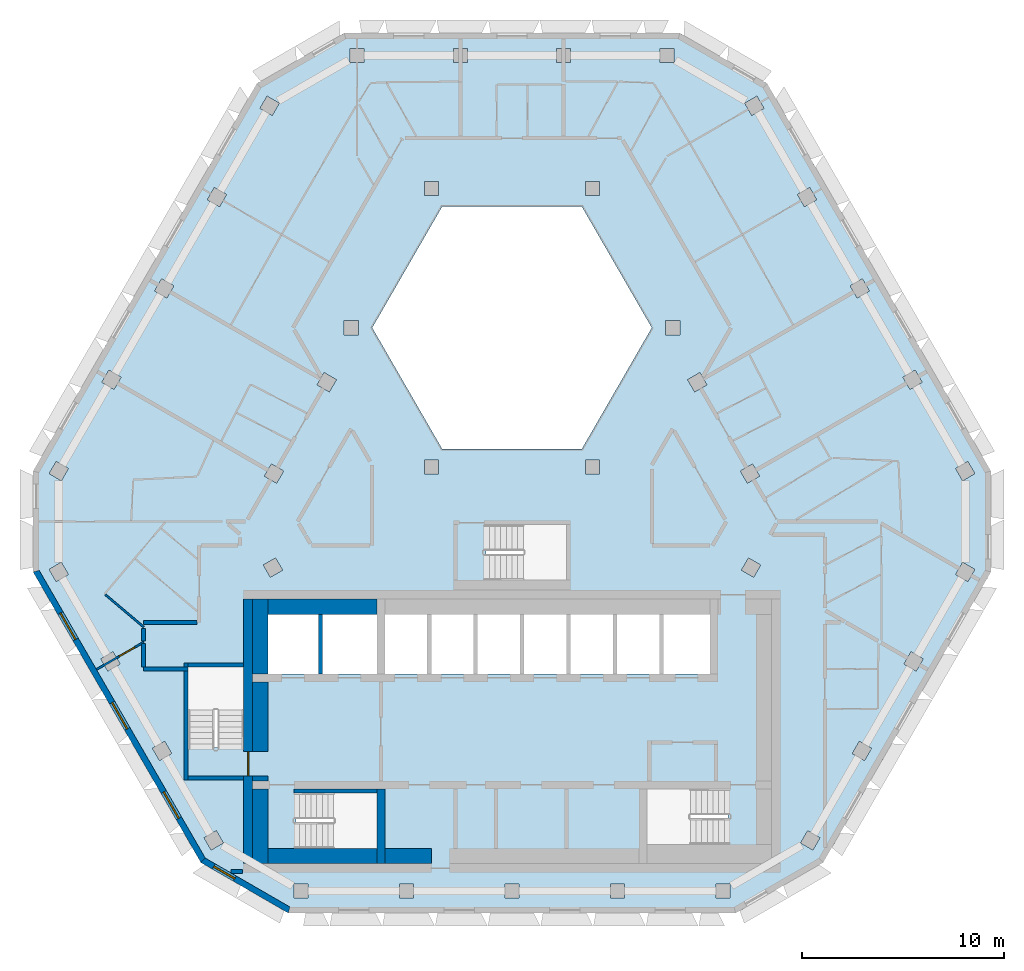
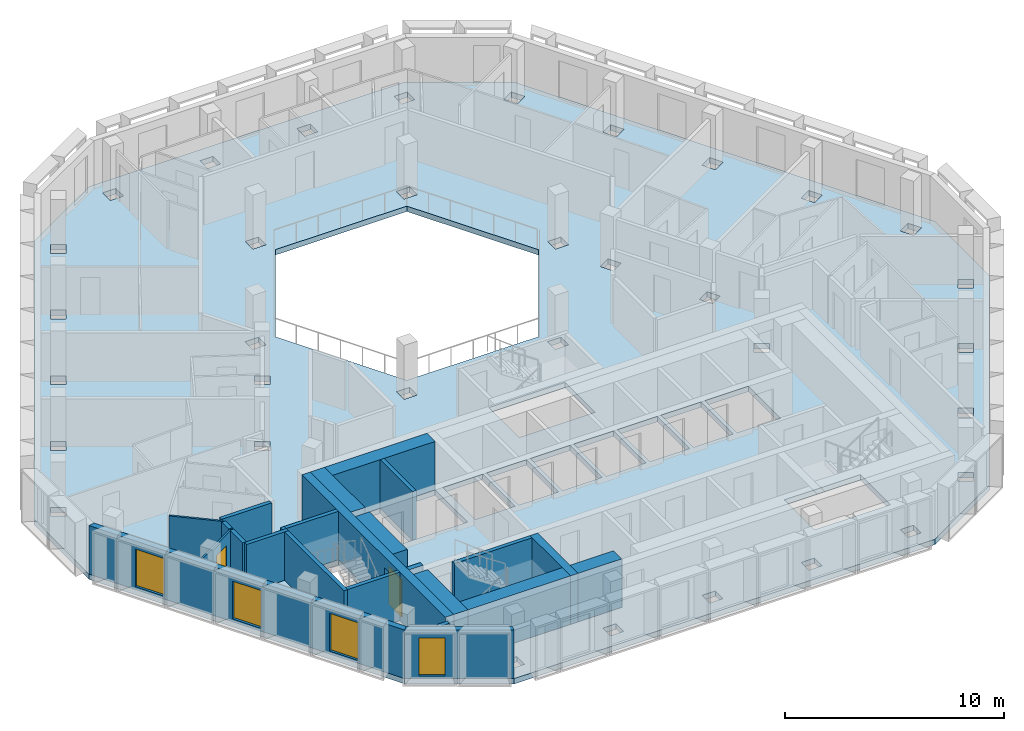
# One storey, part 2 of 15: 23 walls, 4 windows, 2 doors, 1 slab, 6 openings.
"""IFC4 building model written with IfcOpenShell, lengths in metres."""

from ifc_helpers import new_model, si_unit, direction, frame, frame_2d, origin, place, context, subcontext, project, spatial, polyline, rectangle, outline, extrude, material, layer, layer_set, type_object, element, fill, save


model = new_model("IFC4")

# Units and contexts
model_context = context("Model", 3, precision=1e-05, world=origin(), true_north=direction((0.0, 1.0)))
body_context = subcontext(model_context, "Body", "Model", "MODEL_VIEW")
ifc_project = project(units=[si_unit("LENGTHUNIT", "METRE"), si_unit("AREAUNIT", "SQUARE_METRE"), si_unit("VOLUMEUNIT", "CUBIC_METRE"), si_unit("PLANEANGLEUNIT", "RADIAN"), si_unit("MASSUNIT", "GRAM", prefix="KILO")], contexts=[model_context])

# Site, building, storey
site_placement = place(None, origin())
site = spatial("IfcSite", under=ifc_project, at=site_placement, CompositionType="ELEMENT")
building_placement = place(site_placement, origin())
building = spatial("IfcBuilding", under=site, at=building_placement, Name="Beryl Residences", CompositionType="ELEMENT")
storey_placement = place(building_placement, frame((0.0, 0.0, 217.800048828125)))
storey = spatial("IfcBuildingStorey", under=building, at=storey_placement, Name="L67", CompositionType="ELEMENT", Elevation=217.800048828125)

# Slab
ifc_material_1 = material(Name="Concrete C40/50", Category="concrete")
ifc_layer_1 = layer(ifc_material_1, 0.300048828125)
ifc_layer_set_1 = layer_set([ifc_layer_1], Name="SL7 PT floor slab 300 mm C40/50")
slab_type = type_object("IfcSlabType", Name="SL7 PT floor slab 300 mm C40/50", PredefinedType="FLOOR", material=ifc_layer_set_1)
slab_placement = place(storey_placement, frame((0.0, 0.0, -0.300048828125)))
element("IfcSlab", 1, at=slab_placement, inside=storey, type_object=slab_type, Name="L67 slab 1", PredefinedType="FLOOR", context=body_context, shape_type="SweptSolid", body=[
    extrude(outline(polyline([(23.72900390625, -4.10009765625), (15.4150390625, -18.5), (11.0849609375, -21.0), (-11.0849609375, -21.0), (-15.4150390625, -18.5), (-23.72900390625, -4.10009765625), (-23.72900390625, 0.89990234375), (-12.64404296875, 20.10009765625), (-8.31396484375, 22.60009765625), (8.31396484375, 22.60009765625), (12.64404296875, 20.10009765625), (23.72900390625, 0.89990234375), (23.72900390625, -4.10009765625)]), holes=[polyline([(21.97998046875, 1.028076171875), (22.330078125, 0.422119140625), (22.93603515625, 0.77197265625), (22.5859375, 1.3779296875), (21.97998046875, 1.028076171875)]), polyline([(21.97998046875, -4.22900390625), (22.5859375, -4.5791015625), (22.93603515625, -3.972900390625), (22.330078125, -3.623046875), (21.97998046875, -4.22900390625)]), polyline([(19.77099609375, -8.055908203125), (19.4208984375, -8.662109375), (20.027099609375, -9.011962890625), (20.376953125, -8.406005859375), (19.77099609375, -8.055908203125)]), polyline([(19.367919921875, 5.552978515625), (19.718017578125, 4.947021484375), (20.323974609375, 5.297119140625), (19.97412109375, 5.903076171875), (19.367919921875, 5.552978515625)]), polyline([(17.2109375, -12.489013671875), (16.861083984375, -13.094970703125), (17.467041015625, -13.445068359375), (17.81689453125, -12.839111328125), (17.2109375, -12.489013671875)]), polyline([(17.361083984375, 10.427978515625), (16.7548828125, 10.077880859375), (17.10498046875, 9.471923828125), (17.7109375, 9.822021484375), (17.361083984375, 10.427978515625)]), polyline([(15.258056640625, -17.27197265625), (14.652099609375, -16.922119140625), (14.302001953125, -17.528076171875), (14.907958984375, -17.8779296875), (15.258056640625, -17.27197265625)]), polyline([(14.14306640625, 14.60302734375), (14.492919921875, 13.9970703125), (15.09912109375, 14.346923828125), (14.7490234375, 14.952880859375), (14.14306640625, 14.60302734375)]), polyline([(11.531005859375, 19.1279296875), (11.881103515625, 18.52197265625), (12.487060546875, 18.8720703125), (12.136962890625, 19.47802734375), (11.531005859375, 19.1279296875)]), polyline([(11.717041015625, -3.406005859375), (11.366943359375, -4.011962890625), (11.972900390625, -4.362060546875), (12.322998046875, -3.756103515625), (11.717041015625, -3.406005859375)]), polyline([(11.919921875, 1.2529296875), (11.31396484375, 0.903076171875), (11.6640625, 0.297119140625), (12.27001953125, 0.64697265625), (11.919921875, 1.2529296875)]), polyline([(10.800048828125, -19.550048828125), (10.10009765625, -19.550048828125), (10.10009765625, -20.25), (10.800048828125, -20.25), (10.800048828125, -19.550048828125)]), polyline([(6.699951171875, -14.85009765625), (6.699951171875, -17.60009765625), (10.699951171875, -17.60009765625), (10.699951171875, -14.85009765625), (6.699951171875, -14.85009765625)]), polyline([(7.5, -9.14990234375), (9.800048828125, -9.14990234375), (9.800048828125, -6.199951171875), (7.5, -6.199951171875), (7.5, -9.14990234375)]), polyline([(8.700927734375, 5.427978515625), (9.051025390625, 4.822021484375), (9.656982421875, 5.172119140625), (9.306884765625, 5.778076171875), (8.700927734375, 5.427978515625)]), polyline([(8.31689453125, 7.64990234375), (8.31689453125, 8.35009765625), (7.616943359375, 8.35009765625), (7.616943359375, 7.64990234375), (8.31689453125, 7.64990234375)]), polyline([(7.3291015625, 21.85009765625), (7.3291015625, 21.14990234375), (8.029052734375, 21.14990234375), (8.029052734375, 21.85009765625), (7.3291015625, 21.85009765625)]), polyline([(5.199951171875, -9.14990234375), (7.300048828125, -9.14990234375), (7.300048828125, -6.199951171875), (5.199951171875, -6.199951171875), (5.199951171875, -9.14990234375)]), polyline([(3.464111328125, 14.0), (-3.464111328125, 14.0), (-6.92822265625, 8.0), (-3.464111328125, 2.0), (3.464111328125, 2.0), (6.92822265625, 8.0), (3.464111328125, 14.0)]), polyline([(4.875, -19.550048828125), (4.875, -20.25), (5.574951171875, -20.25), (5.574951171875, -19.550048828125), (4.875, -19.550048828125)]), polyline([(2.89990234375, -9.14990234375), (5.0, -9.14990234375), (5.0, -6.199951171875), (2.89990234375, -6.199951171875), (2.89990234375, -9.14990234375)]), polyline([(4.333984375, 15.25), (3.634033203125, 15.25), (3.634033203125, 14.550048828125), (4.333984375, 14.550048828125), (4.333984375, 15.25)]), polyline([(4.333984375, 1.449951171875), (3.634033203125, 1.449951171875), (3.634033203125, 0.75), (4.333984375, 0.75), (4.333984375, 1.449951171875)]), polyline([(2.2099609375, 21.85009765625), (2.2099609375, 21.14990234375), (2.909912109375, 21.14990234375), (2.909912109375, 21.85009765625), (2.2099609375, 21.85009765625)]), polyline([(2.699951171875, -9.14990234375), (2.699951171875, -6.199951171875), (0.60009765625, -6.199951171875), (0.60009765625, -9.14990234375), (2.699951171875, -9.14990234375)]), polyline([(2.699951171875, -4.5), (2.699951171875, -1.75), (-1.300048828125, -1.75), (-1.300048828125, -4.5), (2.699951171875, -4.5)]), polyline([(0.39990234375, -6.199951171875), (-1.699951171875, -6.199951171875), (-1.699951171875, -9.14990234375), (0.39990234375, -9.14990234375), (0.39990234375, -6.199951171875)]), polyline([(0.35009765625, -19.550048828125), (-0.35009765625, -19.550048828125), (-0.35009765625, -20.25), (0.35009765625, -20.25), (0.35009765625, -19.550048828125)]), polyline([(-4.0, -9.14990234375), (-1.89990234375, -9.14990234375), (-1.89990234375, -6.199951171875), (-4.0, -6.199951171875), (-4.0, -9.14990234375)]), polyline([(-2.908935546875, 21.14990234375), (-2.208984375, 21.14990234375), (-2.208984375, 21.85009765625), (-2.908935546875, 21.85009765625), (-2.908935546875, 21.14990234375)]), polyline([(-3.634033203125, 15.25), (-4.333984375, 15.25), (-4.333984375, 14.550048828125), (-3.634033203125, 14.550048828125), (-3.634033203125, 15.25)]), polyline([(-4.333984375, 1.449951171875), (-4.333984375, 0.75), (-3.634033203125, 0.75), (-3.634033203125, 1.449951171875), (-4.333984375, 1.449951171875)]), polyline([(-6.300048828125, -9.14990234375), (-4.199951171875, -9.14990234375), (-4.199951171875, -6.199951171875), (-6.300048828125, -6.199951171875), (-6.300048828125, -9.14990234375)]), polyline([(-4.875, -19.550048828125), (-5.574951171875, -19.550048828125), (-5.574951171875, -20.25), (-4.875, -20.25), (-4.875, -19.550048828125)]), polyline([(-9.39990234375, -6.199951171875), (-9.39990234375, -9.14990234375), (-6.699951171875, -9.14990234375), (-6.699951171875, -6.199951171875), (-9.39990234375, -6.199951171875)]), polyline([(-10.699951171875, -15.050048828125), (-10.699951171875, -17.800048828125), (-6.699951171875, -17.800048828125), (-6.699951171875, -15.050048828125), (-10.699951171875, -15.050048828125)]), polyline([(-8.028076171875, 21.14990234375), (-7.327880859375, 21.14990234375), (-7.327880859375, 21.85009765625), (-8.028076171875, 21.85009765625), (-8.028076171875, 21.14990234375)]), polyline([(-7.616943359375, 7.64990234375), (-7.616943359375, 8.35009765625), (-8.31689453125, 8.35009765625), (-8.31689453125, 7.64990234375), (-7.616943359375, 7.64990234375)]), polyline([(-9.051025390625, 4.822021484375), (-8.700927734375, 5.427978515625), (-9.306884765625, 5.778076171875), (-9.656982421875, 5.172119140625), (-9.051025390625, 4.822021484375)]), polyline([(-12.10009765625, -9.14990234375), (-9.60009765625, -9.14990234375), (-9.60009765625, -6.199951171875), (-12.10009765625, -6.199951171875), (-12.10009765625, -9.14990234375)]), polyline([(-10.800048828125, -19.550048828125), (-10.800048828125, -20.25), (-10.10009765625, -20.25), (-10.10009765625, -19.550048828125), (-10.800048828125, -19.550048828125)]), polyline([(-12.27001953125, 0.64697265625), (-11.6640625, 0.297119140625), (-11.31396484375, 0.903076171875), (-11.919921875, 1.2529296875), (-12.27001953125, 0.64697265625)]), polyline([(-11.972900390625, -4.361083984375), (-11.366943359375, -4.010986328125), (-11.717041015625, -3.405029296875), (-12.322998046875, -3.7548828125), (-11.972900390625, -4.361083984375)]), polyline([(-12.487060546875, 18.8720703125), (-11.881103515625, 18.52197265625), (-11.531005859375, 19.1279296875), (-12.136962890625, 19.47802734375), (-12.487060546875, 18.8720703125)]), polyline([(-13.300048828125, -8.800048828125), (-16.050048828125, -8.800048828125), (-16.050048828125, -12.800048828125), (-13.300048828125, -12.800048828125), (-13.300048828125, -8.800048828125)]), polyline([(-14.14306640625, 14.60302734375), (-14.7490234375, 14.952880859375), (-15.09912109375, 14.346923828125), (-14.492919921875, 13.9970703125), (-14.14306640625, 14.60302734375)]), polyline([(-14.302978515625, -17.527099609375), (-14.653076171875, -16.9208984375), (-15.259033203125, -17.27099609375), (-14.908935546875, -17.876953125), (-14.302978515625, -17.527099609375)]), polyline([(-17.10498046875, 9.471923828125), (-16.7548828125, 10.077880859375), (-17.361083984375, 10.427978515625), (-17.7109375, 9.822021484375), (-17.10498046875, 9.471923828125)]), polyline([(-17.2119140625, -12.488037109375), (-17.818115234375, -12.837890625), (-17.468017578125, -13.444091796875), (-16.862060546875, -13.093994140625), (-17.2119140625, -12.488037109375)]), polyline([(-19.718017578125, 4.947021484375), (-19.367919921875, 5.552978515625), (-19.97412109375, 5.903076171875), (-20.323974609375, 5.297119140625), (-19.718017578125, 4.947021484375)]), polyline([(-19.4208984375, -8.660888671875), (-19.77099609375, -8.054931640625), (-20.376953125, -8.405029296875), (-20.027099609375, -9.010986328125), (-19.4208984375, -8.660888671875)]), polyline([(-22.330078125, 0.422119140625), (-21.97998046875, 1.028076171875), (-22.5859375, 1.3779296875), (-22.93603515625, 0.77197265625), (-22.330078125, 0.422119140625)]), polyline([(-21.98095703125, -4.22802734375), (-22.3310546875, -3.6220703125), (-22.93701171875, -3.971923828125), (-22.5869140625, -4.577880859375), (-21.98095703125, -4.22802734375)])]), origin(), (0.0, 0.0, 1.0), 0.300048828125),
])

# Wall, openings, windows
ifc_material_2 = material(Name="Composite metal panel with mineral wool insulation")
ifc_layer_2 = layer(ifc_material_2, 0.300048828125)
ifc_layer_set_2 = layer_set([ifc_layer_2], Name="ES1 pale metal composite panel wall 300 mm")
wall_type_1 = type_object("IfcWallType", Name="ES1 pale metal composite panel wall 300 mm", PredefinedType="SOLIDWALL", material=ifc_layer_set_2)
wall_1_placement = place(storey_placement, frame((-23.59912109375, -4.02490234375, 0.0), z_axis=(0.0, 0.0, 1.0), x_axis=(0.500012653391, -0.866018098222, 0.0)))
wall_1 = element("IfcWall", 2, at=wall_1_placement, inside=storey, type_object=wall_type_1, Name="ES1 external wall L67 SW", PredefinedType="SOLIDWALL", context=body_context, shape_type="SweptSolid", body=[
    extrude(outline(polyline([(0.0, -0.14990234375), (16.6279296875, -0.14990234375), (16.547607421875, 0.14990234375), (0.080322265625, 0.14990234375), (0.0, -0.14990234375)])), origin(), (0.0, 0.0, 1.0), 2.699951171875),
])
opening_1_placement = place(wall_1_placement, frame((2.444091796875, 0.0, 0.14990234375)))
opening_1 = element("IfcOpeningElement", 3, at=opening_1_placement, cuts=wall_1, Name="Opening W1", PredefinedType="OPENING", context=body_context, shape_type="SweptSolid", body=[
    extrude(rectangle(XDim=1.5, YDim=2.10009765625, at=frame_2d((0.75, 1.050048828125))), frame((0.0, 0.159912109375, 0.0), z_axis=(0.0, -1.0, 0.0), x_axis=(1.0, 0.0, 0.0)), (0.0, 0.0, 1.0), 0.320068359375),
])
opening_2_placement = place(wall_1_placement, frame((7.56396484375, 0.0, 0.14990234375)))
opening_2 = element("IfcOpeningElement", 4, at=opening_2_placement, cuts=wall_1, Name="Opening W1", PredefinedType="OPENING", context=body_context, shape_type="SweptSolid", body=[
    extrude(rectangle(XDim=1.5, YDim=2.10009765625, at=frame_2d((0.75, 1.050048828125))), frame((0.0, 0.159912109375, 0.0), z_axis=(0.0, -1.0, 0.0), x_axis=(1.0, 0.0, 0.0)), (0.0, 0.0, 1.0), 0.320068359375),
])
opening_3_placement = place(wall_1_placement, frame((12.681884765625, 0.0, 0.14990234375)))
opening_3 = element("IfcOpeningElement", 5, at=opening_3_placement, cuts=wall_1, Name="Opening W1", PredefinedType="OPENING", context=body_context, shape_type="SweptSolid", body=[
    extrude(rectangle(XDim=1.5, YDim=2.10009765625, at=frame_2d((0.75, 1.050048828125))), frame((0.0, 0.159912109375, 0.0), z_axis=(0.0, -1.0, 0.0), x_axis=(1.0, 0.0, 0.0)), (0.0, 0.0, 1.0), 0.320068359375),
])
ifc_material_3 = material(Name="Aluminium and clear glass", Category="aluminium")
window_type_1 = type_object("IfcWindowType", Name="W1 cell window 1500 x 2100 mm", PartitioningType="SINGLE_PANEL", PredefinedType="WINDOW", material=ifc_material_3)
window_1_placement = place(opening_1_placement, origin())
window_1 = element("IfcWindow", 6, at=window_1_placement, inside=storey, type_object=window_type_1, Name="W1 window L67 SW 2", OverallHeight=2.10009765625, OverallWidth=1.5, PartitioningType="SINGLE_PANEL", PredefinedType="WINDOW", context=body_context, shape_type="SweptSolid", body=[
    extrude(rectangle(XDim=1.5, YDim=2.10009765625, at=frame_2d((0.75, 1.050048828125))), frame((0.0, 0.030029296875, 0.0), z_axis=(0.0, -1.0, 0.0), x_axis=(1.0, 0.0, 0.0)), (0.0, 0.0, 1.0), 0.06005859375),
])
fill(opening_1, window_1)
window_2_placement = place(opening_2_placement, origin())
window_2 = element("IfcWindow", 7, at=window_2_placement, inside=storey, type_object=window_type_1, Name="W1 window L67 SW 4", OverallHeight=2.10009765625, OverallWidth=1.5, PartitioningType="SINGLE_PANEL", PredefinedType="WINDOW", context=body_context, shape_type="SweptSolid", body=[
    extrude(rectangle(XDim=1.5, YDim=2.10009765625, at=frame_2d((0.75, 1.050048828125))), frame((0.0, 0.030029296875, 0.0), z_axis=(0.0, -1.0, 0.0), x_axis=(1.0, 0.0, 0.0)), (0.0, 0.0, 1.0), 0.06005859375),
])
fill(opening_2, window_2)
window_3_placement = place(opening_3_placement, origin())
window_3 = element("IfcWindow", 8, at=window_3_placement, inside=storey, type_object=window_type_1, Name="W1 window L67 SW 6", OverallHeight=2.10009765625, OverallWidth=1.5, PartitioningType="SINGLE_PANEL", PredefinedType="WINDOW", context=body_context, shape_type="SweptSolid", body=[
    extrude(rectangle(XDim=1.5, YDim=2.10009765625, at=frame_2d((0.75, 1.050048828125))), frame((0.0, 0.030029296875, 0.0), z_axis=(0.0, -1.0, 0.0), x_axis=(1.0, 0.0, 0.0)), (0.0, 0.0, 1.0), 0.06005859375),
])
fill(opening_3, window_3)

# Wall, opening, window
wall_2_placement = place(storey_placement, frame((-15.340087890625, -18.3701171875, 0.0), z_axis=(0.0, 0.0, 1.0), x_axis=(0.866022959057, -0.500004234368, 0.0)))
wall_2 = element("IfcWall", 9, at=wall_2_placement, inside=storey, type_object=wall_type_1, Name="ES1 external wall L67 SW-S", PredefinedType="SOLIDWALL", context=body_context, shape_type="SweptSolid", body=[
    extrude(outline(polyline([(0.0, -0.14990234375), (5.0, -0.14990234375), (4.919677734375, 0.14990234375), (0.080322265625, 0.14990234375), (0.0, -0.14990234375)])), origin(), (0.0, 0.0, 1.0), 2.699951171875),
])
opening_4_placement = place(wall_2_placement, frame((0.64990234375, 0.0, 0.14990234375)))
opening_4 = element("IfcOpeningElement", 10, at=opening_4_placement, cuts=wall_2, Name="Opening W2", PredefinedType="OPENING", context=body_context, shape_type="SweptSolid", body=[
    extrude(rectangle(XDim=1.199951171875, YDim=2.10009765625, at=frame_2d((0.60009765625, 1.050048828125))), frame((0.0, 0.159912109375, 0.0), z_axis=(0.0, -1.0, 0.0), x_axis=(1.0, 0.0, 0.0)), (0.0, 0.0, 1.0), 0.320068359375),
])
ifc_material_4 = material(Name="Aluminium and clear glass", Category="aluminium")
window_type_2 = type_object("IfcWindowType", Name="W2 chamfer window 1200 x 2100 mm", PartitioningType="SINGLE_PANEL", PredefinedType="WINDOW", material=ifc_material_4)
window_4_placement = place(opening_4_placement, origin())
window_4 = element("IfcWindow", 11, at=window_4_placement, inside=storey, type_object=window_type_2, Name="W2 window L67 SW-S 1", OverallHeight=2.10009765625, OverallWidth=1.199951171875, PartitioningType="SINGLE_PANEL", PredefinedType="WINDOW", context=body_context, shape_type="SweptSolid", body=[
    extrude(rectangle(XDim=1.199951171875, YDim=2.10009765625, at=frame_2d((0.60009765625, 1.050048828125))), frame((0.0, 0.030029296875, 0.0), z_axis=(0.0, -1.0, 0.0), x_axis=(1.0, 0.0, 0.0)), (0.0, 0.0, 1.0), 0.06005859375),
])
fill(opening_4, window_4)

# Wall
ifc_material_5 = material(Name="Gypsum board partition on steel studs", Category="steel")
ifc_layer_3 = layer(ifc_material_5, 0.10009765625)
ifc_layer_set_3 = layer_set([ifc_layer_3], Name="PT1 partition 100 mm gypsum board on steel studs")
wall_type_2 = type_object("IfcWallType", Name="PT1 partition 100 mm gypsum board on steel studs", PredefinedType="PARTITIONING", material=ifc_layer_set_3)
wall_3_placement = place(storey_placement, frame((-20.14990234375, -5.222900390625, 0.0), z_axis=(0.0, 0.0, 1.0), x_axis=(0.763471868926, -0.645841083672, 0.0)))
element("IfcWall", 12, at=wall_3_placement, inside=storey, type_object=wall_type_2, Name="Wall PT1 L67 021", PredefinedType="PARTITIONING", context=body_context, shape_type="SweptSolid", body=[
    extrude(rectangle(XDim=2.488525390625, YDim=0.10009765625, at=frame_2d((1.244140625, 0.0))), origin(), (0.0, 0.0, 1.0), 2.699951171875),
])

# Wall, opening, door
wall_4_placement = place(storey_placement, frame((-20.592041015625, -8.93310546875, 0.0), z_axis=(0.0, 0.0, 1.0), x_axis=(0.866045775131, 0.499964714133, 0.0)))
wall_4 = element("IfcWall", 13, at=wall_4_placement, inside=storey, type_object=wall_type_2, Name="Wall PT1 L67 050", PredefinedType="PARTITIONING", context=body_context, shape_type="SweptSolid", body=[
    extrude(rectangle(XDim=2.704345703125, YDim=0.10009765625, at=frame_2d((1.35205078125, 0.0))), origin(), (0.0, 0.0, 1.0), 2.699951171875),
])
opening_5_placement = place(wall_4_placement, frame((1.302001953125, 0.0, 0.0)))
opening_5 = element("IfcOpeningElement", 14, at=opening_5_placement, cuts=wall_4, Name="Opening D2128", PredefinedType="OPENING", context=body_context, shape_type="SweptSolid", body=[
    extrude(rectangle(XDim=0.89990234375, YDim=2.10009765625, at=frame_2d((0.449951171875, 1.050048828125))), frame((0.0, 0.06005859375, 0.0), z_axis=(0.0, -1.0, 0.0), x_axis=(1.0, 0.0, 0.0)), (0.0, 0.0, 1.0), 0.1201171875),
])
ifc_material_6 = material(Name="Timber door leaf", Category="wood")
door_type_1 = type_object("IfcDoorType", Name="D2 room door 900 x 2100 mm", OperationType="SINGLE_SWING_LEFT", PredefinedType="DOOR", material=ifc_material_6)
door_1_placement = place(opening_5_placement, origin())
door_1 = element("IfcDoor", 15, at=door_1_placement, inside=storey, type_object=door_type_1, Name="Door D2128 L67 001", OperationType="SINGLE_SWING_RIGHT", OverallHeight=2.10009765625, OverallWidth=0.89990234375, PredefinedType="DOOR", context=body_context, shape_type="SweptSolid", body=[
    extrude(rectangle(XDim=0.89990234375, YDim=2.10009765625, at=frame_2d((0.449951171875, 1.050048828125))), frame((0.0, 0.02490234375, 0.0), z_axis=(0.0, -1.0, 0.0), x_axis=(1.0, 0.0, 0.0)), (0.0, 0.0, 1.0), 0.050048828125),
])
fill(opening_5, door_1)

# Walls
ifc_material_7 = material(Name="Concrete masonry", Category="masonry")
ifc_layer_4 = layer(ifc_material_7, 0.25)
ifc_layer_set_4 = layer_set([ifc_layer_4], Name="PT13-250 lobby wall 250 mm")
wall_type_3 = type_object("IfcWallType", Name="PT13-250 lobby wall 250 mm", PredefinedType="PARTITIONING", material=ifc_layer_set_4)
wall_5_placement = place(storey_placement, frame((-12.85009765625, -14.324951171875, 0.0), z_axis=(0.0, 0.0, 1.0), x_axis=(1.0, 0.0, 0.0)))
element("IfcWall", 16, at=wall_5_placement, inside=storey, type_object=wall_type_3, Name="Lobby wall 05", PredefinedType="PARTITIONING", context=body_context, shape_type="SweptSolid", body=[
    extrude(rectangle(XDim=0.75, YDim=0.25, at=frame_2d((0.375, 0.0))), origin(), (0.0, 0.0, 1.0), 2.699951171875),
])
ifc_material_8 = material(Name="Concrete masonry", Category="masonry")
ifc_layer_5 = layer(ifc_material_8, 0.75)
ifc_layer_set_5 = layer_set([ifc_layer_5], Name="PT13-750 lobby wall 750 mm")
wall_type_4 = type_object("IfcWallType", Name="PT13-750 lobby wall 750 mm", PredefinedType="PARTITIONING", material=ifc_layer_set_5)
wall_6_placement = place(storey_placement, frame((-12.47509765625, -13.0, 0.0), z_axis=(0.0, 0.0, 1.0), x_axis=(0.0, 1.0, 0.0)))
element("IfcWall", 17, at=wall_6_placement, inside=storey, type_object=wall_type_4, Name="Lobby wall 06", PredefinedType="PARTITIONING", context=body_context, shape_type="SweptSolid", body=[
    extrude(rectangle(XDim=3.449951171875, YDim=0.75, at=frame_2d((1.72509765625, 0.0))), origin(), (0.0, 0.0, 1.0), 2.699951171875),
])
ifc_material_9 = material(Name="Acoustic double stud gypsum board wall")
ifc_layer_6 = layer(ifc_material_9, 0.199951171875)
ifc_layer_set_6 = layer_set([ifc_layer_6], Name="PT3 party wall 200 mm acoustic double stud")
wall_type_5 = type_object("IfcWallType", Name="PT3 party wall 200 mm acoustic double stud", PredefinedType="PARTITIONING", material=ifc_layer_set_6)
wall_7_placement = place(storey_placement, frame((-13.9150390625, -18.949951171875, 0.0), z_axis=(0.0, 0.0, 1.0), x_axis=(1.0, 0.0, 0.0)))
element("IfcWall", 18, at=wall_7_placement, inside=storey, type_object=wall_type_5, Name="Wall PT3 L67 013", PredefinedType="PARTITIONING", context=body_context, shape_type="SweptSolid", body=[
    extrude(rectangle(XDim=0.554931640625, YDim=0.199951171875, at=frame_2d((0.27734375, 0.0))), origin(), (0.0, 0.0, 1.0), 2.699951171875),
])
ifc_material_10 = material(Name="Double stud gypsum board wall")
ifc_layer_7 = layer(ifc_material_10, 0.199951171875)
ifc_layer_set_7 = layer_set([ifc_layer_7], Name="PT4 corridor wall 200 mm double stud")
wall_type_6 = type_object("IfcWallType", Name="PT4 corridor wall 200 mm double stud", PredefinedType="PARTITIONING", material=ifc_layer_set_7)
wall_8_placement = place(storey_placement, frame((-18.25, -7.638916015625, 0.0), z_axis=(0.0, 0.0, 1.0), x_axis=(0.0, -1.0, 0.0)))
element("IfcWall", 19, at=wall_8_placement, inside=storey, type_object=wall_type_6, Name="Wall PT4 L67 008", PredefinedType="PARTITIONING", context=body_context, shape_type="SweptSolid", body=[
    extrude(rectangle(XDim=1.16015625, YDim=0.199951171875, at=frame_2d((0.580078125, 0.0))), origin(), (0.0, 0.0, 1.0), 2.699951171875),
])
wall_9_placement = place(storey_placement, frame((-18.2490234375, -6.60009765625, 0.0), z_axis=(0.0, 0.0, 1.0), x_axis=(1.0, 0.0, 0.0)))
element("IfcWall", 20, at=wall_9_placement, inside=storey, type_object=wall_type_6, Name="Wall PT4 L67 011", PredefinedType="PARTITIONING", context=body_context, shape_type="SweptSolid", body=[
    extrude(rectangle(XDim=2.64794921875, YDim=0.199951171875, at=frame_2d((1.323974609375, 0.0))), origin(), (0.0, 0.0, 1.0), 2.699951171875),
])
wall_10_placement = place(storey_placement, frame((-18.2490234375, -8.89990234375, 0.0), z_axis=(0.0, 0.0, 1.0), x_axis=(1.0, 0.0, 0.0)))
element("IfcWall", 21, at=wall_10_placement, inside=storey, type_object=wall_type_6, Name="Wall PT4 L67 012", PredefinedType="PARTITIONING", context=body_context, shape_type="SweptSolid", body=[
    extrude(rectangle(XDim=2.198974609375, YDim=0.199951171875, at=frame_2d((1.099609375, 0.0))), origin(), (0.0, 0.0, 1.0), 2.699951171875),
])
wall_11_placement = place(storey_placement, frame((-18.25, -7.52294921875, 0.0), z_axis=(0.0, 0.0, 1.0), x_axis=(0.0, 1.0, 0.0)))
element("IfcWall", 22, at=wall_11_placement, inside=storey, type_object=wall_type_6, Name="Wall PT4 L67 031", PredefinedType="PARTITIONING", context=body_context, shape_type="SweptSolid", body=[
    extrude(rectangle(XDim=0.6279296875, YDim=0.199951171875, at=frame_2d((0.31396484375, 0.0))), origin(), (0.0, 0.0, 1.0), 2.699951171875),
])
ifc_material_11 = material(Name="Concrete C40/50", Category="concrete")
ifc_layer_8 = layer(ifc_material_11, 0.199951171875)
ifc_layer_set_8 = layer_set([ifc_layer_8], Name="PT5 stair enclosure wall 200 mm reinforced concrete C40/50")
wall_type_7 = type_object("IfcWallType", Name="PT5 stair enclosure wall 200 mm reinforced concrete C40/50", PredefinedType="SOLIDWALL", material=ifc_layer_set_8)
wall_12_placement = place(storey_placement, frame((-16.14990234375, -14.39990234375, 0.0), z_axis=(0.0, 0.0, 1.0), x_axis=(0.0, 1.0, 0.0)))
element("IfcWall", 23, at=wall_12_placement, inside=storey, type_object=wall_type_7, Name="Stair wall 01", PredefinedType="SOLIDWALL", context=body_context, shape_type="SweptSolid", body=[
    extrude(rectangle(XDim=5.7998046875, YDim=0.199951171875, at=frame_2d((2.89990234375, 0.0))), origin(), (0.0, 0.0, 1.0), 2.699951171875),
])
for number, where, z_axis, x_axis, name in (
    (24, (-16.050048828125, -14.300048828125, 0.0), (0.0, 0.0, 1.0), (1.0, 0.0, 0.0), "Stair wall 02"),
    (25, (-16.050048828125, -8.699951171875, 0.0), (0.0, 0.0, 1.0), (1.0, 0.0, 0.0), "Stair wall 03"),
):
    element("IfcWall", number, at=place(storey_placement, frame(where, z_axis=z_axis, x_axis=x_axis)), inside=storey, type_object=wall_type_7, Name=name, PredefinedType="SOLIDWALL", context=body_context, shape_type="SweptSolid", body=[
        extrude(rectangle(XDim=2.75, YDim=0.199951171875, at=frame_2d((1.375, 0.0))), origin(), (0.0, 0.0, 1.0), 2.699951171875),
    ])
wall_13_placement = place(storey_placement, frame((-10.800048828125, -14.949951171875, 0.0), z_axis=(0.0, 0.0, 1.0), x_axis=(1.0, 0.0, 0.0)))
element("IfcWall", 26, at=wall_13_placement, inside=storey, type_object=wall_type_7, Name="Stair wall 10", PredefinedType="SOLIDWALL", context=body_context, shape_type="SweptSolid", body=[
    extrude(rectangle(XDim=4.10009765625, YDim=0.199951171875, at=frame_2d((2.050048828125, 0.0))), origin(), (0.0, 0.0, 1.0), 2.699951171875),
])
ifc_material_12 = material(Name="Concrete C40/50", Category="concrete")
ifc_layer_9 = layer(ifc_material_12, 0.75)
ifc_layer_set_9 = layer_set([ifc_layer_9], Name="PT5-750 stair enclosure wall 750 mm")
wall_type_8 = type_object("IfcWallType", Name="PT5-750 stair enclosure wall 750 mm", PredefinedType="SOLIDWALL", material=ifc_layer_set_9)
wall_14_placement = place(storey_placement, frame((-12.47509765625, -18.550048828125, 0.0), z_axis=(0.0, 0.0, 1.0), x_axis=(0.0, 1.0, 0.0)))
element("IfcWall", 27, at=wall_14_placement, inside=storey, type_object=wall_type_8, Name="Stair wall 04", PredefinedType="SOLIDWALL", context=body_context, shape_type="SweptSolid", body=[
    extrude(rectangle(XDim=3.699951171875, YDim=0.75, at=frame_2d((1.85009765625, 0.0))), origin(), (0.0, 0.0, 1.0), 2.699951171875),
])
wall_15_placement = place(storey_placement, frame((-12.10009765625, -18.175048828125, 0.0), z_axis=(0.0, 0.0, 1.0), x_axis=(1.0, 0.0, 0.0)))
element("IfcWall", 28, at=wall_15_placement, inside=storey, type_object=wall_type_8, Name="Stair wall 08", PredefinedType="SOLIDWALL", context=body_context, shape_type="SweptSolid", body=[
    extrude(rectangle(XDim=5.400146484375, YDim=0.75, at=frame_2d((2.7001953125, 0.0))), origin(), (0.0, 0.0, 1.0), 2.699951171875),
])
ifc_material_13 = material(Name="Concrete C40/50", Category="concrete")
ifc_layer_10 = layer(ifc_material_13, 0.199951171875)
ifc_layer_set_10 = layer_set([ifc_layer_10], Name="PT6 lift shaft wall 200 mm reinforced concrete C40/50")
wall_type_9 = type_object("IfcWallType", Name="PT6 lift shaft wall 200 mm reinforced concrete C40/50", PredefinedType="SOLIDWALL", material=ifc_layer_set_10)
wall_16_placement = place(storey_placement, frame((-9.5, -9.14990234375, 0.0), z_axis=(0.0, 0.0, 1.0), x_axis=(0.0, 1.0, 0.0)))
element("IfcWall", 29, at=wall_16_placement, inside=storey, type_object=wall_type_9, Name="Lift shaft wall 11", PredefinedType="SOLIDWALL", context=body_context, shape_type="SweptSolid", body=[
    extrude(rectangle(XDim=2.949951171875, YDim=0.199951171875, at=frame_2d((1.47509765625, 0.0))), origin(), (0.0, 0.0, 1.0), 2.699951171875),
])
ifc_material_14 = material(Name="Concrete C40/50", Category="concrete")
ifc_layer_11 = layer(ifc_material_14, 0.75)
ifc_layer_set_11 = layer_set([ifc_layer_11], Name="PT6-750 lift shaft wall 750 mm")
wall_type_10 = type_object("IfcWallType", Name="PT6-750 lift shaft wall 750 mm", PredefinedType="SOLIDWALL", material=ifc_layer_set_11)
wall_17_placement = place(storey_placement, frame((-12.47509765625, -9.14990234375, 0.0), z_axis=(0.0, 0.0, 1.0), x_axis=(0.0, 1.0, 0.0)))
element("IfcWall", 30, at=wall_17_placement, inside=storey, type_object=wall_type_10, Name="Lift shaft wall 07", PredefinedType="SOLIDWALL", context=body_context, shape_type="SweptSolid", body=[
    extrude(rectangle(XDim=3.699951171875, YDim=0.75, at=frame_2d((1.85009765625, 0.0))), origin(), (0.0, 0.0, 1.0), 2.699951171875),
])
wall_18_placement = place(storey_placement, frame((-12.10009765625, -5.824951171875, 0.0), z_axis=(0.0, 0.0, 1.0), x_axis=(1.0, 0.0, 0.0)))
element("IfcWall", 31, at=wall_18_placement, inside=storey, type_object=wall_type_10, Name="Lift shaft wall 09", PredefinedType="SOLIDWALL", context=body_context, shape_type="SweptSolid", body=[
    extrude(rectangle(XDim=5.400146484375, YDim=0.75, at=frame_2d((2.7001953125, 0.0))), origin(), (0.0, 0.0, 1.0), 2.699951171875),
])
ifc_material_15 = material(Name="Concrete masonry", Category="masonry")
ifc_layer_12 = layer(ifc_material_15, 0.75)
ifc_layer_set_12 = layer_set([ifc_layer_12], Name="PT8-750 service room wall 750 mm")
wall_type_11 = type_object("IfcWallType", Name="PT8-750 service room wall 750 mm", PredefinedType="PARTITIONING", material=ifc_layer_set_12)
wall_19_placement = place(storey_placement, frame((-6.300048828125, -18.175048828125, 0.0), z_axis=(0.0, 0.0, 1.0), x_axis=(1.0, 0.0, 0.0)))
element("IfcWall", 32, at=wall_19_placement, inside=storey, type_object=wall_type_11, Name="Core room wall 13", PredefinedType="PARTITIONING", context=body_context, shape_type="SweptSolid", body=[
    extrude(rectangle(XDim=2.300048828125, YDim=0.75, at=frame_2d((1.14990234375, 0.0))), origin(), (0.0, 0.0, 1.0), 2.699951171875),
])
ifc_material_16 = material(Name="Concrete C50/60", Category="concrete")
ifc_layer_13 = layer(ifc_material_16, 0.39990234375)
ifc_layer_set_13 = layer_set([ifc_layer_13], Name="SW10 core internal wall 400 mm C50/60")
wall_type_12 = type_object("IfcWallType", Name="SW10 core internal wall 400 mm C50/60", PredefinedType="SHEAR", material=ifc_layer_set_13)
wall_20_placement = place(storey_placement, frame((-6.5, -18.550048828125, 0.0), z_axis=(0.0, 0.0, 1.0), x_axis=(0.0, 1.0, 0.0)))
element("IfcWall", 33, at=wall_20_placement, inside=storey, type_object=wall_type_12, Name="Core wall XS1 L67", PredefinedType="SHEAR", context=body_context, shape_type="SweptSolid", body=[
    extrude(rectangle(XDim=3.699951171875, YDim=0.39990234375, at=frame_2d((1.85009765625, 0.0))), origin(), (0.0, 0.0, 1.0), 2.699951171875),
])

# Wall, opening, door
ifc_material_17 = material(Name="Concrete C50/60", Category="concrete")
ifc_layer_14 = layer(ifc_material_17, 0.449951171875)
ifc_layer_set_14 = layer_set([ifc_layer_14], Name="SW5 core outer wall 450 mm C50/60")
wall_type_13 = type_object("IfcWallType", Name="SW5 core outer wall 450 mm C50/60", PredefinedType="SHEAR", material=ifc_layer_set_14)
wall_21_placement = place(storey_placement, frame((-13.074951171875, -18.550048828125, 0.0), z_axis=(0.0, 0.0, 1.0), x_axis=(0.0, 1.0, 0.0)))
wall_21 = element("IfcWall", 34, at=wall_21_placement, inside=storey, type_object=wall_type_13, Name="Core wall W L67", PredefinedType="SHEAR", context=body_context, shape_type="SweptSolid", body=[
    extrude(rectangle(XDim=13.10009765625, YDim=0.449951171875, at=frame_2d((6.550048828125, 0.0))), origin(), (0.0, 0.0, 1.0), 2.699951171875),
])
opening_6_placement = place(wall_21_placement, frame((4.35009765625, 0.0, 0.0)))
opening_6 = element("IfcOpeningElement", 35, at=opening_6_placement, cuts=wall_21, Name="Opening SD-2", PredefinedType="OPENING", context=body_context, shape_type="SweptSolid", body=[
    extrude(rectangle(XDim=1.199951171875, YDim=2.10009765625, at=frame_2d((0.60009765625, 1.050048828125))), frame((0.0, 0.23486328125, 0.0), z_axis=(0.0, -1.0, 0.0), x_axis=(1.0, 0.0, 0.0)), (0.0, 0.0, 1.0), 0.469970703125),
])
ifc_material_18 = material(Name="Steel door leaf in steel frame", Category="steel")
door_type_2 = type_object("IfcDoorType", Name="D4 stair door 1200 x 2100 mm", OperationType="SINGLE_SWING_LEFT", PredefinedType="DOOR", material=ifc_material_18)
door_2_placement = place(opening_6_placement, origin())
door_2 = element("IfcDoor", 36, at=door_2_placement, inside=storey, type_object=door_type_2, Name="Door SD-2 L67 001", OperationType="SINGLE_SWING_RIGHT", OverallHeight=2.10009765625, OverallWidth=1.199951171875, PredefinedType="DOOR", context=body_context, shape_type="SweptSolid", body=[
    extrude(rectangle(XDim=1.199951171875, YDim=2.10009765625, at=frame_2d((0.60009765625, 1.050048828125))), frame((0.0, 0.02490234375, 0.0), z_axis=(0.0, -1.0, 0.0), x_axis=(1.0, 0.0, 0.0)), (0.0, 0.0, 1.0), 0.050048828125),
])
fill(opening_6, door_2)

save(model, "model.ifc")
